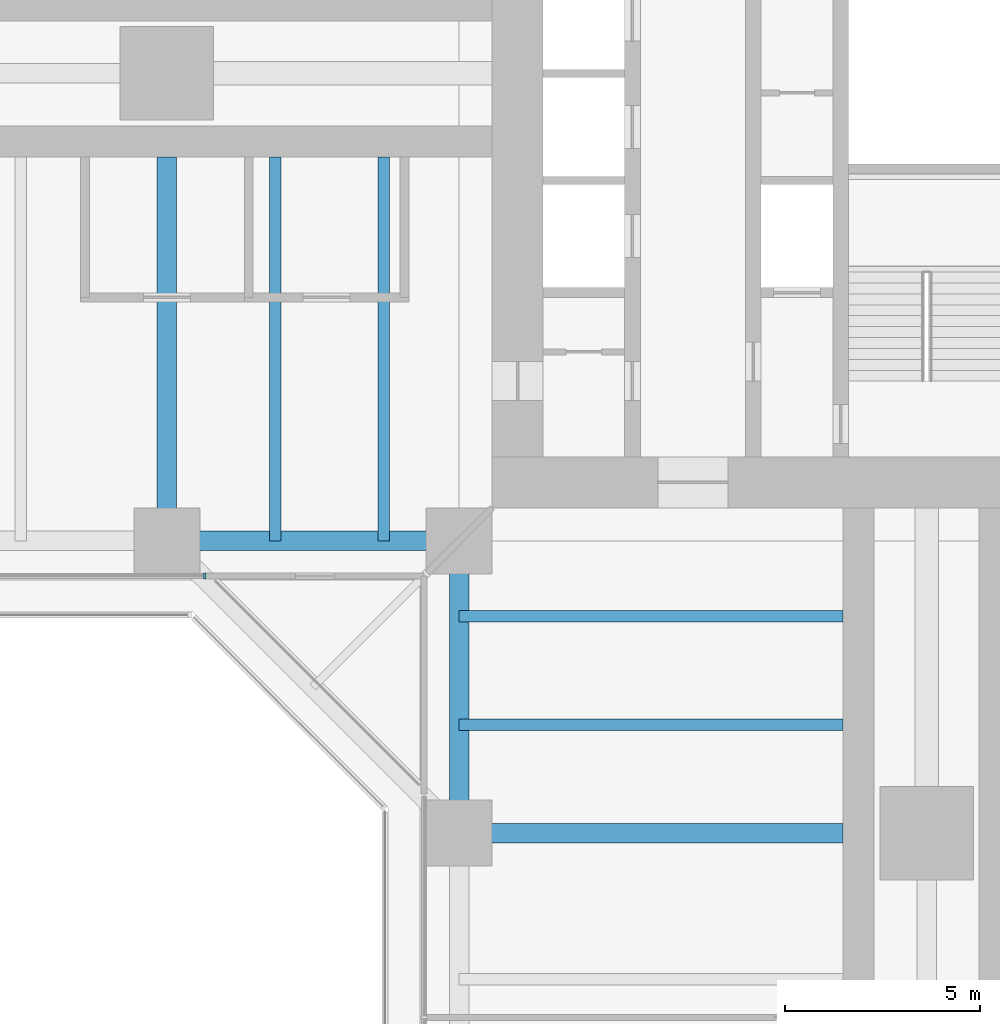
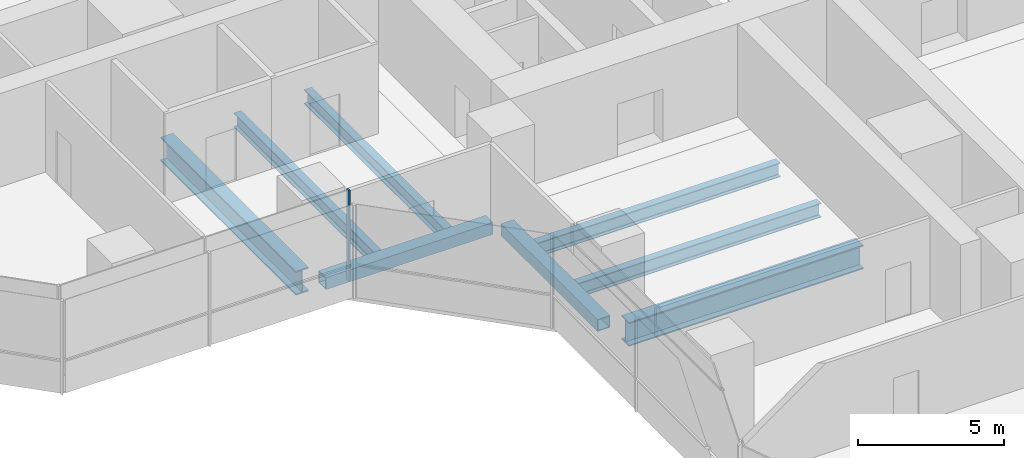
# One storey, part 4 of 22: 8 beams, 1 member, 1 element without a shape of its own.
"""IFC4 building model written with IfcOpenShell, lengths in metres."""

from ifc_helpers import new_model, si_unit, direction, frame, origin, origin_2d, place, context, subcontext, project, spatial, rectangle, hollow_rectangle, i_section, extrude, material, material_profile, profile_set, type_object, element, aggregate, save


model = new_model("IFC4")

# Units and contexts
model_context = context("Model", 3, precision=1e-05, world=origin(), true_north=direction((0.0, 1.0)))
body_context = subcontext(model_context, "Body", "Model", "MODEL_VIEW")
ifc_project = project(units=[si_unit("LENGTHUNIT", "METRE"), si_unit("AREAUNIT", "SQUARE_METRE"), si_unit("VOLUMEUNIT", "CUBIC_METRE"), si_unit("PLANEANGLEUNIT", "RADIAN"), si_unit("MASSUNIT", "GRAM", prefix="KILO")], contexts=[model_context])

# Site, building, storey
site_placement = place(None, origin())
site = spatial("IfcSite", under=ifc_project, at=site_placement, CompositionType="ELEMENT")
building_placement = place(site_placement, origin())
building = spatial("IfcBuilding", under=site, at=building_placement, Name="Mizan Broadcast Tower", CompositionType="ELEMENT")
storey_placement = place(building_placement, frame((0.0, 0.0, 55.199951171875)))
storey = spatial("IfcBuildingStorey", under=building, at=storey_placement, Name="L10", CompositionType="ELEMENT", Elevation=55.199951171875)

# Beams
ifc_material_1 = material(Name="Steel S355", Category="steel")
ifc_material_profile_1 = material_profile(ifc_material_1, hollow_rectangle(XDim=0.5, YDim=0.5, WallThickness=0.030029296875, at=origin_2d()), Name="BOX 500x500x30")
ifc_profile_set_1 = profile_set([ifc_material_profile_1], Name="Steel S355")
beam_type_1 = type_object("IfcBeamType", Name="EDGE BEAM BOX 500x500x30", PredefinedType="SPANDREL", material=ifc_profile_set_1)
for number, where, z_axis, x_axis, name in (
    (1, (-12.449951171875, -12.0, -0.3798828125), (-1.0, 0.0, 0.0), (0.0, -1.0, 0.0), "Edge beam BOX 500x500x30 L10 west arm"),
    (2, (-12.0, -12.449951171875, -0.3798828125), (0.0, -1.0, 0.0), (1.0, 0.0, 0.0), "Edge beam BOX 500x500x30 L10 south arm"),
):
    element("IfcBeam", number, at=place(storey_placement, frame(where, z_axis=z_axis, x_axis=x_axis)), inside=storey, type_object=beam_type_1, Name=name, PredefinedType="SPANDREL", context=body_context, shape_type="SweptSolid", body=[
        extrude(hollow_rectangle(XDim=0.5, YDim=0.5, WallThickness=0.030029296875, at=origin_2d()), origin(), (0.0, 0.0, 1.0), 6.60009765625),
    ])
ifc_material_2 = material(Name="Steel S460", Category="steel")
ifc_material_profile_2 = material_profile(ifc_material_2, i_section(OverallWidth=0.5, OverallDepth=1.0, WebThickness=0.02490234375, FlangeThickness=0.050048828125, at=origin_2d()), Name="WPG 1000x500")
ifc_profile_set_2 = profile_set([ifc_material_profile_2], Name="Steel S460")
beam_type_2 = type_object("IfcBeamType", Name="GIRDER WPG 1000x500", PredefinedType="BEAM", material=ifc_profile_set_2)
for number, where, z_axis, x_axis, name in (
    (3, (-19.5, -11.408935546875, -0.6298828125), (0.0, 1.0, 0.0), (-1.0, 0.0, 0.0), "Girder WPG 1000x500 L10 west arm"),
    (4, (-11.408935546875, -19.5, -0.6298828125), (1.0, 0.0, 0.0), (0.0, 1.0, 0.0), "Girder WPG 1000x500 L10 south arm"),
):
    element("IfcBeam", number, at=place(storey_placement, frame(where, z_axis=z_axis, x_axis=x_axis)), inside=storey, type_object=beam_type_2, Name=name, PredefinedType="BEAM", context=body_context, shape_type="SweptSolid", body=[
        extrude(i_section(OverallWidth=0.5, OverallDepth=1.0, WebThickness=0.02490234375, FlangeThickness=0.050048828125, at=origin_2d()), origin(), (0.0, 0.0, 1.0), 9.259033203125),
    ])

# Curtain wall, member
ifc_material_3 = material(Name="Aluminium framed glazing", Category="aluminium")
curtain_wall_type = type_object("IfcCurtainWallType", Name="INNER SKIN LOW ZONE", PredefinedType="USERDEFINED", material=ifc_material_3)
curtain_wall_placement = place(storey_placement, origin())
curtain_wall = element("IfcCurtainWall", 5, at=curtain_wall_placement, inside=storey, type_object=curtain_wall_type, Name="Inner skin low zone L10 W side", ObjectType="INNER SKIN LOW ZONE", PredefinedType="USERDEFINED")
ifc_material_4 = material(Name="Aluminium, pale anodised", Category="aluminium")
ifc_material_profile_3 = material_profile(ifc_material_4, rectangle(XDim=0.159912109375, YDim=0.06005859375, at=origin_2d()), Name="MULLION 160x60")
ifc_profile_set_3 = profile_set([ifc_material_profile_3], Name="Aluminium, pale anodised")
member_type = type_object("IfcMemberType", Name="INNER SKIN MULLION 60x160", PredefinedType="MULLION", material=ifc_profile_set_3)
member_placement = place(storey_placement, frame((-18.530029296875, -12.89990234375, 0.0), z_axis=(0.0, 0.0, 1.0), x_axis=(0.0, 1.0, 0.0)))
member = element("IfcMember", 6, at=member_placement, type_object=member_type, Name="Inner skin low zone L10 W side mullion 3", PredefinedType="MULLION", context=body_context, shape_type="SweptSolid", body=[
    extrude(rectangle(XDim=0.159912109375, YDim=0.06005859375, at=origin_2d()), origin(), (0.0, 0.0, 1.0), 3.77001953125),
])
aggregate(curtain_wall, [member])

# Beams
ifc_material_5 = material(Name="Steel S355", Category="steel")
ifc_material_profile_4 = material_profile(ifc_material_5, i_section(OverallWidth=0.300048828125, OverallDepth=0.590087890625, WebThickness=0.012939453125, FlangeThickness=0.02490234375, FilletRadius=0.027099609375, at=origin_2d()), Name="HEA 600")
ifc_profile_set_4 = profile_set([ifc_material_profile_4], Name="Steel S355")
beam_type_3 = type_object("IfcBeamType", Name="SECONDARY BEAM HEA 600", PredefinedType="JOIST", material=ifc_profile_set_4)
for number, where, z_axis, x_axis, name in (
    (7, (-13.933349609375, -12.0, -0.425048828125), (0.0, 1.0, 0.0), (-1.0, 0.0, 0.0), "Secondary beam HEA 600 L10 west arm"),
    (8, (-16.716552734375, -12.0, -0.425048828125), (0.0, 1.0, 0.0), (-1.0, 0.0, 0.0), "Secondary beam HEA 600 L10 west arm"),
    (9, (-12.0, -13.933349609375, -0.425048828125), (1.0, 0.0, 0.0), (0.0, 1.0, 0.0), "Secondary beam HEA 600 L10 south arm"),
    (10, (-12.0, -16.716552734375, -0.425048828125), (1.0, 0.0, 0.0), (0.0, 1.0, 0.0), "Secondary beam HEA 600 L10 south arm"),
):
    element("IfcBeam", number, at=place(storey_placement, frame(where, z_axis=z_axis, x_axis=x_axis)), inside=storey, type_object=beam_type_3, Name=name, PredefinedType="JOIST", context=body_context, shape_type="SweptSolid", body=[
        extrude(i_section(OverallWidth=0.300048828125, OverallDepth=0.590087890625, WebThickness=0.012939453125, FlangeThickness=0.02490234375, FilletRadius=0.027099609375, at=origin_2d()), origin(), (0.0, 0.0, 1.0), 9.85009765625),
    ])

save(model, "model.ifc")
